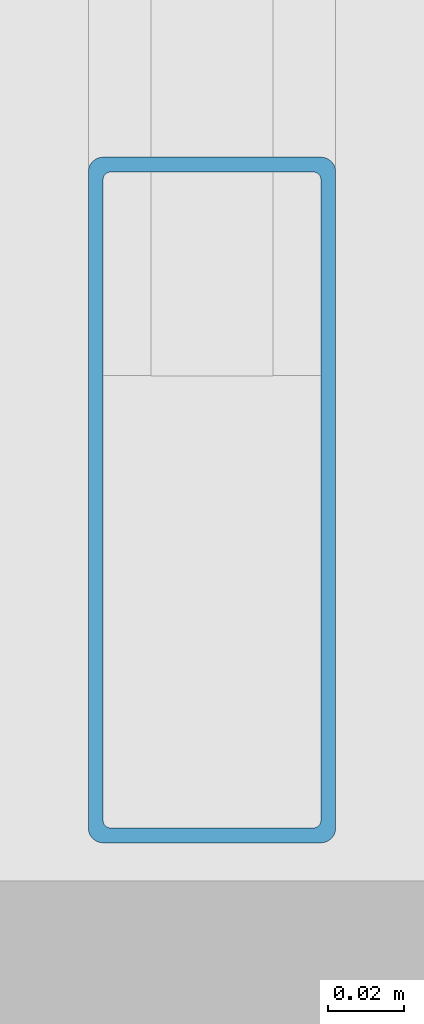
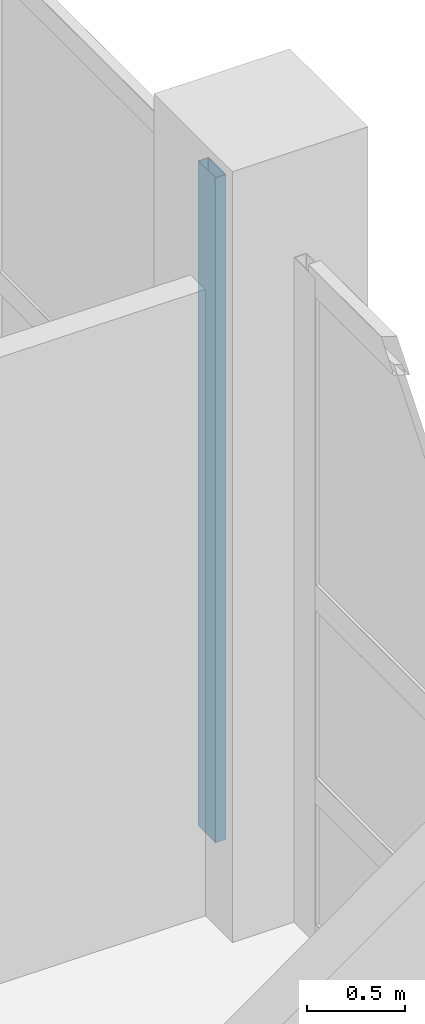
# One storey, part 7 of 18: 1 member, 1 element without a shape of its own.
"""IFC4 building model written with IfcOpenShell, lengths in metres."""

from ifc_helpers import new_model, si_unit, direction, frame, origin, origin_2d, place, context, subcontext, project, spatial, hollow_rectangle, extrude, material, material_profile, profile_set, type_object, element, aggregate, save


model = new_model("IFC4")

# Units and contexts
model_context = context("Model", 3, precision=1e-05, world=origin(), true_north=direction((0.0, 1.0)))
body_context = subcontext(model_context, "Body", "Model", "MODEL_VIEW")
ifc_project = project(units=[si_unit("LENGTHUNIT", "METRE"), si_unit("AREAUNIT", "SQUARE_METRE"), si_unit("VOLUMEUNIT", "CUBIC_METRE"), si_unit("PLANEANGLEUNIT", "RADIAN"), si_unit("MASSUNIT", "GRAM", prefix="KILO")], contexts=[model_context])

# Site, building, storey
site_placement = place(None, origin())
site = spatial("IfcSite", under=ifc_project, at=site_placement, CompositionType="ELEMENT")
building_placement = place(site_placement, origin())
building = spatial("IfcBuilding", under=site, at=building_placement, Name="Khelvaren Railside Concert Hall", CompositionType="ELEMENT")
storey_placement = place(building_placement, frame((0.0, 0.0, 24.60009765625)))
storey = spatial("IfcBuildingStorey", under=building, at=storey_placement, Name="L05", CompositionType="ELEMENT", Elevation=24.60009765625)

# Curtain wall, member
ifc_material_1 = material(Name="Double-glazed low-E dark acoustic glass", Category="glass")
curtain_wall_type = type_object("IfcCurtainWallType", Name="CW65", PredefinedType="USERDEFINED", material=ifc_material_1)
curtain_wall_placement = place(storey_placement, origin())
curtain_wall = element("IfcCurtainWall", 1, at=curtain_wall_placement, inside=storey, type_object=curtain_wall_type, Name="Unitised Curtain Wall CW-V5-L05-E-106", ObjectType="UNITISED CURTAIN WALL", PredefinedType="USERDEFINED")
ifc_material_2 = material(Name="Anodised architectural aluminium 6063-T6", Category="aluminium")
ifc_material_profile = material_profile(ifc_material_2, hollow_rectangle(XDim=0.06494140625, YDim=0.179931640625, WallThickness=0.00390625, InnerFilletRadius=0.001953125, OuterFilletRadius=0.00390625, at=origin_2d()), Name="CWM 65x180x4")
ifc_profile_set = profile_set([ifc_material_profile], Name="Anodised architectural aluminium 6063-T6")
member_type = type_object("IfcMemberType", Name="CWM63", PredefinedType="MULLION", material=ifc_profile_set)
member_placement = place(storey_placement, frame((184.0, 106.89990234375, 0.0), z_axis=(0.0, 0.0, 1.0), x_axis=(1.0, 0.0, 0.0)))
member = element("IfcMember", 2, at=member_placement, type_object=member_type, Name="CW65 mullion 4", PredefinedType="MULLION", context=body_context, shape_type="SweptSolid", body=[
    extrude(hollow_rectangle(XDim=0.06494140625, YDim=0.179931640625, WallThickness=0.00390625, InnerFilletRadius=0.001953125, OuterFilletRadius=0.00390625, at=origin_2d()), origin(), (0.0, 0.0, 1.0), 4.139892578125),
])
aggregate(curtain_wall, [member])

save(model, "model.ifc")
